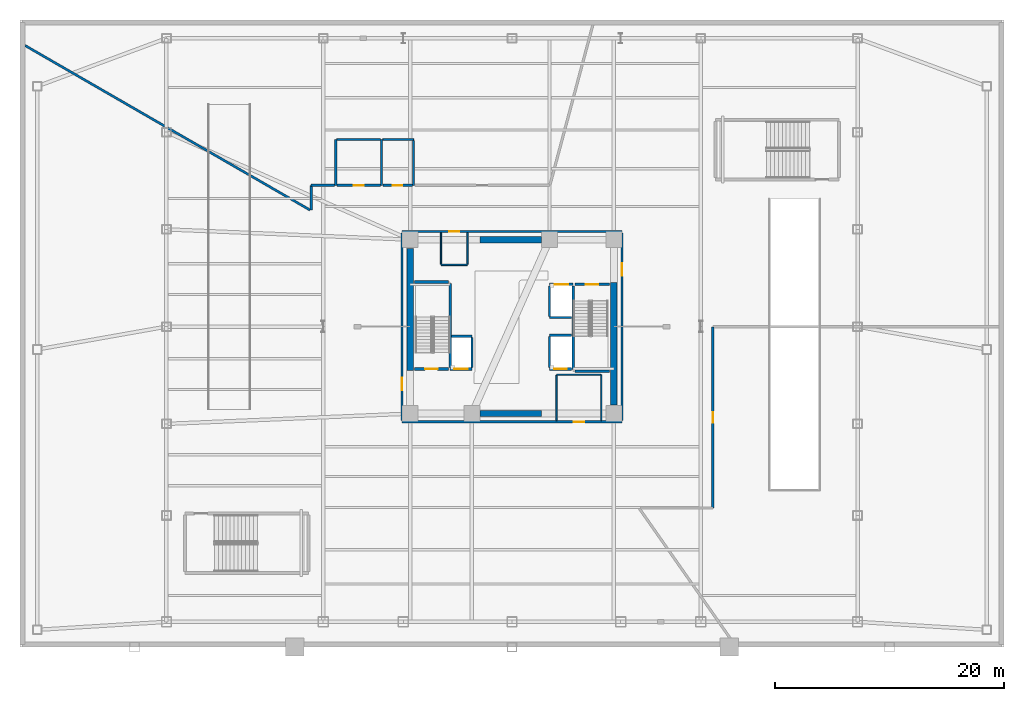
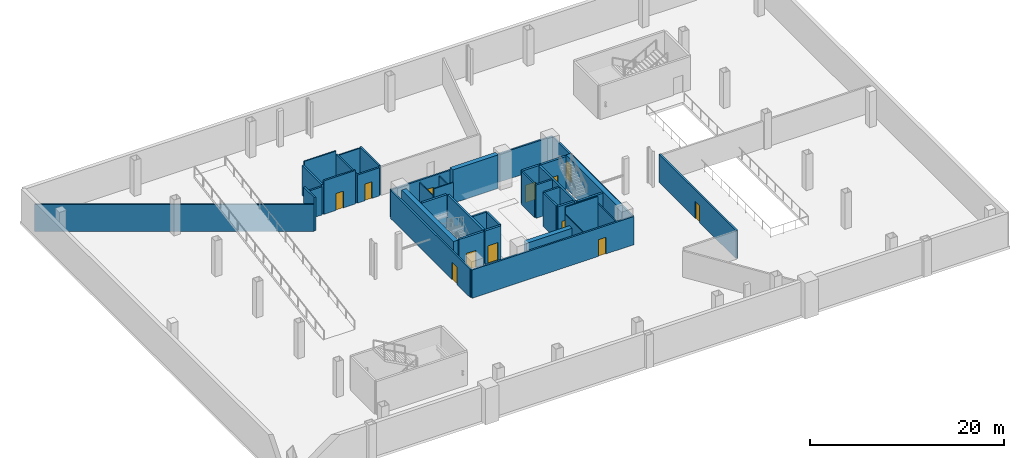
# One storey, part 7 of 14: 40 walls, 12 doors, 12 openings.
"""IFC4 building model written with IfcOpenShell, lengths in metres."""

from ifc_helpers import new_model, si_unit, direction, frame, frame_2d, origin, place, context, subcontext, project, spatial, rectangle, extrude, material, layer, layer_set, type_object, element, fill, save


model = new_model("IFC4")

# Units and contexts
model_context = context("Model", 3, precision=1e-05, world=origin(), true_north=direction((0.0, 1.0)))
body_context = subcontext(model_context, "Body", "Model", "MODEL_VIEW")
ifc_project = project(units=[si_unit("LENGTHUNIT", "METRE"), si_unit("AREAUNIT", "SQUARE_METRE"), si_unit("VOLUMEUNIT", "CUBIC_METRE"), si_unit("PLANEANGLEUNIT", "RADIAN"), si_unit("MASSUNIT", "GRAM", prefix="KILO")], contexts=[model_context])

# Site, building, storey
site_placement = place(None, origin())
site = spatial("IfcSite", under=ifc_project, at=site_placement, CompositionType="ELEMENT")
building_placement = place(site_placement, origin())
building = spatial("IfcBuilding", under=site, at=building_placement, Name="Tharavind Bronze Gate", CompositionType="ELEMENT")
storey_placement = place(building_placement, frame((0.0, 0.0, -4.5)))
storey = spatial("IfcBuildingStorey", under=building, at=storey_placement, Name="B01", CompositionType="ELEMENT", Elevation=-4.5)

# Wall, opening, door
ifc_material_1 = material(Name="Aerated Concrete Block", Category="concrete")
ifc_layer_1 = layer(ifc_material_1, 0.199951171875)
ifc_layer_set_1 = layer_set([ifc_layer_1], Name="Aerated Concrete Block")
wall_type_1 = type_object("IfcWallType", Name="FIRE RATED PARTITION 200", PredefinedType="PARTITIONING", material=ifc_layer_set_1)
wall_1_placement = place(storey_placement, frame((-9.6201171875, -8.320068359375, 0.0), z_axis=(0.0, 0.0, 1.0), x_axis=(1.0, 0.0, 0.0)))
wall_1 = element("IfcWall", 1, at=wall_1_placement, inside=storey, type_object=wall_type_1, Name="B01 south core corridor wall", PredefinedType="PARTITIONING", context=body_context, shape_type="SweptSolid", body=[
    extrude(rectangle(XDim=19.240234375, YDim=0.199951171875, at=frame_2d((9.6201171875, 0.0))), origin(), (0.0, 0.0, 1.0), 3.544921875),
])
opening_1_placement = place(wall_1_placement, frame((15.02001953125, 0.0, 0.0)))
opening_1 = element("IfcOpeningElement", 2, at=opening_1_placement, cuts=wall_1, Name="Opening ID07", PredefinedType="OPENING", context=body_context, shape_type="SweptSolid", body=[
    extrude(rectangle(XDim=0.89990234375, YDim=2.10009765625, at=frame_2d((0.449951171875, 1.050048828125))), frame((0.0, 0.11009765625, 0.0), z_axis=(0.0, -1.0, 0.0), x_axis=(1.0, 0.0, 0.0)), (0.0, 0.0, 1.0), 0.219951171875),
])
ifc_material_2 = material(Name="Galvanised Fire Steel", Category="steel")
door_type_1 = type_object("IfcDoorType", Name="PLANT AND RISER FIRE DOOR 900X2100", OperationType="SINGLE_SWING_LEFT", PredefinedType="DOOR", material=ifc_material_2)
door_1_placement = place(opening_1_placement, origin())
door_1 = element("IfcDoor", 3, at=door_1_placement, inside=storey, type_object=door_type_1, Name="B01 Telecom Metering Room fire door", OperationType="SINGLE_SWING_LEFT", OverallHeight=2.10009765625, OverallWidth=0.89990234375, PredefinedType="DOOR", context=body_context, shape_type="SweptSolid", body=[
    extrude(rectangle(XDim=0.89990234375, YDim=2.10009765625, at=frame_2d((0.449951171875, 1.050048828125))), frame((0.0, 0.02490234375, 0.0), z_axis=(0.0, -1.0, 0.0), x_axis=(1.0, 0.0, 0.0)), (0.0, 0.0, 1.0), 0.050048828125),
])
fill(opening_1, door_1)

wall_2_placement = place(storey_placement, frame((9.6201171875, 8.320068359375, 0.0), z_axis=(0.0, 0.0, 1.0), x_axis=(-1.0, 0.0, 0.0)))
wall_2 = element("IfcWall", 4, at=wall_2_placement, inside=storey, type_object=wall_type_1, Name="B01 north core corridor wall", PredefinedType="PARTITIONING", context=body_context, shape_type="SweptSolid", body=[
    extrude(rectangle(XDim=19.240234375, YDim=0.199951171875, at=frame_2d((9.6201171875, 0.0))), origin(), (0.0, 0.0, 1.0), 3.544921875),
])
opening_2_placement = place(wall_2_placement, frame((14.219970703125, 0.0, 0.0)))
opening_2 = element("IfcOpeningElement", 5, at=opening_2_placement, cuts=wall_2, Name="Opening ID07", PredefinedType="OPENING", context=body_context, shape_type="SweptSolid", body=[
    extrude(rectangle(XDim=0.89990234375, YDim=2.10009765625, at=frame_2d((0.449951171875, 1.050048828125))), frame((0.0, 0.11009765625, 0.0), z_axis=(0.0, -1.0, 0.0), x_axis=(1.0, 0.0, 0.0)), (0.0, 0.0, 1.0), 0.219951171875),
])
door_2_placement = place(opening_2_placement, origin())
door_2 = element("IfcDoor", 6, at=door_2_placement, inside=storey, type_object=door_type_1, Name="B01 Electrical Switch Cupboard fire door", OperationType="SINGLE_SWING_LEFT", OverallHeight=2.10009765625, OverallWidth=0.89990234375, PredefinedType="DOOR", context=body_context, shape_type="SweptSolid", body=[
    extrude(rectangle(XDim=0.89990234375, YDim=2.10009765625, at=frame_2d((0.449951171875, 1.050048828125))), frame((0.0, 0.02490234375, 0.0), z_axis=(0.0, -1.0, 0.0), x_axis=(1.0, 0.0, 0.0)), (0.0, 0.0, 1.0), 0.050048828125),
])
fill(opening_2, door_2)

wall_3_placement = place(storey_placement, frame((-9.6201171875, 8.199951171875, 0.0), z_axis=(0.0, 0.0, 1.0), x_axis=(0.0, -1.0, 0.0)))
wall_3 = element("IfcWall", 7, at=wall_3_placement, inside=storey, type_object=wall_type_1, Name="B01 west core corridor wall", PredefinedType="PARTITIONING", context=body_context, shape_type="SweptSolid", body=[
    extrude(rectangle(XDim=16.39990234375, YDim=0.199951171875, at=frame_2d((8.199951171875, 0.0))), origin(), (0.0, 0.0, 1.0), 3.544921875),
])
opening_3_placement = place(wall_3_placement, frame((12.64990234375, 0.0, 0.0)))
opening_3 = element("IfcOpeningElement", 8, at=opening_3_placement, cuts=wall_3, Name="Opening ID01", PredefinedType="OPENING", context=body_context, shape_type="SweptSolid", body=[
    extrude(rectangle(XDim=1.10009765625, YDim=2.14990234375, at=frame_2d((0.550048828125, 1.074951171875))), frame((0.0, 0.11009765625, 0.0), z_axis=(0.0, -1.0, 0.0), x_axis=(1.0, 0.0, 0.0)), (0.0, 0.0, 1.0), 0.219951171875),
])
ifc_material_3 = material(Name="Fire-Rated Steel", Category="steel")
door_type_2 = type_object("IfcDoorType", Name="STAIR CORE FIRE DOOR 1100X2150", OperationType="SINGLE_SWING_LEFT", PredefinedType="DOOR", material=ifc_material_3)
door_3_placement = place(opening_3_placement, frame((1.10009765625, 0.0, 0.0), z_axis=(0.0, 0.0, 1.0), x_axis=(-1.0, 0.0, 0.0)))
door_3 = element("IfcDoor", 9, at=door_3_placement, inside=storey, type_object=door_type_2, Name="B01 south west stair lobby fire door", OperationType="SINGLE_SWING_LEFT", OverallHeight=2.14990234375, OverallWidth=1.10009765625, PredefinedType="DOOR", context=body_context, shape_type="SweptSolid", body=[
    extrude(rectangle(XDim=1.10009765625, YDim=2.14990234375, at=frame_2d((0.550048828125, 1.074951171875))), frame((0.0, 0.02490234375, 0.0), z_axis=(0.0, -1.0, 0.0), x_axis=(1.0, 0.0, 0.0)), (0.0, 0.0, 1.0), 0.050048828125),
])
fill(opening_3, door_3)

wall_4_placement = place(storey_placement, frame((9.6201171875, -8.199951171875, 0.0), z_axis=(0.0, 0.0, 1.0), x_axis=(0.0, 1.0, 0.0)))
wall_4 = element("IfcWall", 10, at=wall_4_placement, inside=storey, type_object=wall_type_1, Name="B01 east core corridor wall", PredefinedType="PARTITIONING", context=body_context, shape_type="SweptSolid", body=[
    extrude(rectangle(XDim=16.39990234375, YDim=0.199951171875, at=frame_2d((8.199951171875, 0.0))), origin(), (0.0, 0.0, 1.0), 3.544921875),
])
opening_4_placement = place(wall_4_placement, frame((12.64990234375, 0.0, 0.0)))
opening_4 = element("IfcOpeningElement", 11, at=opening_4_placement, cuts=wall_4, Name="Opening ID01", PredefinedType="OPENING", context=body_context, shape_type="SweptSolid", body=[
    extrude(rectangle(XDim=1.10009765625, YDim=2.14990234375, at=frame_2d((0.550048828125, 1.074951171875))), frame((0.0, 0.11009765625, 0.0), z_axis=(0.0, -1.0, 0.0), x_axis=(1.0, 0.0, 0.0)), (0.0, 0.0, 1.0), 0.219951171875),
])
door_4_placement = place(opening_4_placement, frame((1.10009765625, 0.0, 0.0), z_axis=(0.0, 0.0, 1.0), x_axis=(-1.0, 0.0, 0.0)))
door_4 = element("IfcDoor", 12, at=door_4_placement, inside=storey, type_object=door_type_2, Name="B01 north east stair lobby fire door", OperationType="SINGLE_SWING_LEFT", OverallHeight=2.14990234375, OverallWidth=1.10009765625, PredefinedType="DOOR", context=body_context, shape_type="SweptSolid", body=[
    extrude(rectangle(XDim=1.10009765625, YDim=2.14990234375, at=frame_2d((0.550048828125, 1.074951171875))), frame((0.0, 0.02490234375, 0.0), z_axis=(0.0, -1.0, 0.0), x_axis=(1.0, 0.0, 0.0)), (0.0, 0.0, 1.0), 0.050048828125),
])
fill(opening_4, door_4)

# Walls
wall_5_placement = place(storey_placement, frame((-11.39990234375, 12.35009765625, 0.0), z_axis=(0.0, 0.0, 1.0), x_axis=(0.0, 1.0, 0.0)))
element("IfcWall", 13, at=wall_5_placement, inside=storey, type_object=wall_type_1, Name="B01 Accessible Toilet partition", PredefinedType="PARTITIONING", context=body_context, shape_type="SweptSolid", body=[
    extrude(rectangle(XDim=4.0, YDim=0.199951171875, at=frame_2d((2.0, 0.0))), origin(), (0.0, 0.0, 1.0), 3.7451171875),
])
wall_6_placement = place(storey_placement, frame((-8.60009765625, 16.27001953125, 0.0), z_axis=(0.0, 0.0, 1.0), x_axis=(0.0, -1.0, 0.0)))
element("IfcWall", 14, at=wall_6_placement, inside=storey, type_object=wall_type_1, Name="B01 Accessible Toilet partition", PredefinedType="PARTITIONING", context=body_context, shape_type="SweptSolid", body=[
    extrude(rectangle(XDim=3.919921875, YDim=0.199951171875, at=frame_2d((1.9599609375, 0.0))), origin(), (0.0, 0.0, 1.0), 3.7451171875),
])

# Wall, opening, door
wall_7_placement = place(storey_placement, frame((-8.705078125, 12.35009765625, 0.0), z_axis=(0.0, 0.0, 1.0), x_axis=(-1.0, 0.0, 0.0)))
wall_7 = element("IfcWall", 15, at=wall_7_placement, inside=storey, type_object=wall_type_1, Name="B01 Accessible Toilet partition", PredefinedType="PARTITIONING", context=body_context, shape_type="SweptSolid", body=[
    extrude(rectangle(XDim=2.58984375, YDim=0.199951171875, at=frame_2d((1.294921875, 0.0))), origin(), (0.0, 0.0, 1.0), 3.544921875),
])
opening_5_placement = place(wall_7_placement, frame((0.8701171875, 0.0, 0.0)))
opening_5 = element("IfcOpeningElement", 16, at=opening_5_placement, cuts=wall_7, Name="Opening ID06", PredefinedType="OPENING", context=body_context, shape_type="SweptSolid", body=[
    extrude(rectangle(XDim=0.85009765625, YDim=2.10009765625, at=frame_2d((0.425048828125, 1.050048828125))), frame((0.0, 0.11009765625, 0.0), z_axis=(0.0, -1.0, 0.0), x_axis=(1.0, 0.0, 0.0)), (0.0, 0.0, 1.0), 0.219951171875),
])
ifc_material_4 = material(Name="Moisture-Resistant Timber", Category="wood")
door_type_3 = type_object("IfcDoorType", Name="BATHROOM PRIVACY DOOR 850X2100", OperationType="SINGLE_SWING_RIGHT", PredefinedType="DOOR", material=ifc_material_4)
door_5_placement = place(opening_5_placement, origin())
door_5 = element("IfcDoor", 17, at=door_5_placement, inside=storey, type_object=door_type_3, Name="B01 Accessible Toilet door", OperationType="SINGLE_SWING_RIGHT", OverallHeight=2.10009765625, OverallWidth=0.85009765625, PredefinedType="DOOR", context=body_context, shape_type="SweptSolid", body=[
    extrude(rectangle(XDim=0.85009765625, YDim=2.10009765625, at=frame_2d((0.425048828125, 1.050048828125))), frame((0.0, 0.02490234375, 0.0), z_axis=(0.0, -1.0, 0.0), x_axis=(1.0, 0.0, 0.0)), (0.0, 0.0, 1.0), 0.050048828125),
])
fill(opening_5, door_5)

# Wall
wall_8_placement = place(storey_placement, frame((-15.39990234375, 12.35009765625, 0.0), z_axis=(0.0, 0.0, 1.0), x_axis=(0.0, 1.0, 0.0)))
element("IfcWall", 18, at=wall_8_placement, inside=storey, type_object=wall_type_1, Name="B01 Public Washroom partition", PredefinedType="PARTITIONING", context=body_context, shape_type="SweptSolid", body=[
    extrude(rectangle(XDim=4.0, YDim=0.199951171875, at=frame_2d((2.0, 0.0))), origin(), (0.0, 0.0, 1.0), 3.7451171875),
])

# Wall, opening, door
wall_9_placement = place(storey_placement, frame((-11.5048828125, 12.35009765625, 0.0), z_axis=(0.0, 0.0, 1.0), x_axis=(-1.0, 0.0, 0.0)))
wall_9 = element("IfcWall", 19, at=wall_9_placement, inside=storey, type_object=wall_type_1, Name="B01 Public Washroom partition", PredefinedType="PARTITIONING", context=body_context, shape_type="SweptSolid", body=[
    extrude(rectangle(XDim=3.7900390625, YDim=0.199951171875, at=frame_2d((1.89501953125, 0.0))), origin(), (0.0, 0.0, 1.0), 4.199951171875),
])
opening_6_placement = place(wall_9_placement, frame((1.469970703125, 0.0, 0.0)))
opening_6 = element("IfcOpeningElement", 20, at=opening_6_placement, cuts=wall_9, Name="Opening ID06", PredefinedType="OPENING", context=body_context, shape_type="SweptSolid", body=[
    extrude(rectangle(XDim=0.85009765625, YDim=2.10009765625, at=frame_2d((0.425048828125, 1.050048828125))), frame((0.0, 0.11009765625, 0.0), z_axis=(0.0, -1.0, 0.0), x_axis=(1.0, 0.0, 0.0)), (0.0, 0.0, 1.0), 0.219951171875),
])
door_6_placement = place(opening_6_placement, origin())
door_6 = element("IfcDoor", 21, at=door_6_placement, inside=storey, type_object=door_type_3, Name="B01 Public Washroom door", OperationType="SINGLE_SWING_RIGHT", OverallHeight=2.10009765625, OverallWidth=0.85009765625, PredefinedType="DOOR", context=body_context, shape_type="SweptSolid", body=[
    extrude(rectangle(XDim=0.85009765625, YDim=2.10009765625, at=frame_2d((0.425048828125, 1.050048828125))), frame((0.0, 0.02490234375, 0.0), z_axis=(0.0, -1.0, 0.0), x_axis=(1.0, 0.0, 0.0)), (0.0, 0.0, 1.0), 0.050048828125),
])
fill(opening_6, door_6)

# Walls
wall_10_placement = place(storey_placement, frame((-15.5048828125, 12.35009765625, 0.0), z_axis=(0.0, 0.0, 1.0), x_axis=(-1.0, 0.0, 0.0)))
element("IfcWall", 22, at=wall_10_placement, inside=storey, type_object=wall_type_1, Name="B01 Loading Dock & Goods Receiving partition", PredefinedType="PARTITIONING", context=body_context, shape_type="SweptSolid", body=[
    extrude(rectangle(XDim=2.04443359375, YDim=0.199951171875, at=frame_2d((1.022216796875, 0.0))), origin(), (0.0, 0.0, 1.0), 3.544921875),
])
wall_11_placement = place(storey_placement, frame((-17.550048828125, 12.349365234375, 0.0), z_axis=(0.0, 0.0, 1.0), x_axis=(0.0, -1.0, 0.0)))
element("IfcWall", 23, at=wall_11_placement, inside=storey, type_object=wall_type_1, Name="B01 Loading Dock & Goods Receiving partition", PredefinedType="PARTITIONING", context=body_context, shape_type="SweptSolid", body=[
    extrude(rectangle(XDim=2.173583984375, YDim=0.199951171875, at=frame_2d((1.0869140625, 0.0))), origin(), (0.0, 0.0, 1.0), 4.199951171875),
])
wall_12_placement = place(storey_placement, frame((-17.655029296875, 10.193115234375, 0.0), z_axis=(0.0, 0.0, 1.0), x_axis=(-0.866026443251, 0.499998199587, 0.0)))
element("IfcWall", 24, at=wall_12_placement, inside=storey, type_object=wall_type_1, Name="B01 Loading Dock & Goods Receiving partition", PredefinedType="PARTITIONING", context=body_context, shape_type="SweptSolid", body=[
    extrude(rectangle(XDim=28.740234375, YDim=0.199951171875, at=frame_2d((14.3701171875, 0.0))), origin(), (0.0, 0.0, 1.0), 3.39501953125),
])

# Wall, opening, door
wall_13_placement = place(storey_placement, frame((17.550048828125, -15.849365234375, 0.0), z_axis=(0.0, 0.0, 1.0), x_axis=(0.0, 1.0, 0.0)))
wall_13 = element("IfcWall", 25, at=wall_13_placement, inside=storey, type_object=wall_type_1, Name="B01 Refuse & Recycling Storage partition", PredefinedType="PARTITIONING", context=body_context, shape_type="SweptSolid", body=[
    extrude(rectangle(XDim=15.824462890625, YDim=0.199951171875, at=frame_2d((7.912109375, 0.0))), origin(), (0.0, 0.0, 1.0), 3.544921875),
])
opening_7_placement = place(wall_13_placement, frame((7.4619140625, 0.0, 0.0)))
opening_7 = element("IfcOpeningElement", 26, at=opening_7_placement, cuts=wall_13, Name="Opening ID07", PredefinedType="OPENING", context=body_context, shape_type="SweptSolid", body=[
    extrude(rectangle(XDim=0.89990234375, YDim=2.10009765625, at=frame_2d((0.449951171875, 1.050048828125))), frame((0.0, 0.11009765625, 0.0), z_axis=(0.0, -1.0, 0.0), x_axis=(1.0, 0.0, 0.0)), (0.0, 0.0, 1.0), 0.219951171875),
])
door_7_placement = place(opening_7_placement, origin())
door_7 = element("IfcDoor", 27, at=door_7_placement, inside=storey, type_object=door_type_1, Name="B01 Refuse & Recycling Storage door", OperationType="SINGLE_SWING_LEFT", OverallHeight=2.10009765625, OverallWidth=0.89990234375, PredefinedType="DOOR", context=body_context, shape_type="SweptSolid", body=[
    extrude(rectangle(XDim=0.89990234375, YDim=2.10009765625, at=frame_2d((0.449951171875, 1.050048828125))), frame((0.0, 0.02490234375, 0.0), z_axis=(0.0, -1.0, 0.0), x_axis=(1.0, 0.0, 0.0)), (0.0, 0.0, 1.0), 0.050048828125),
])
fill(opening_7, door_7)

# Walls
ifc_material_5 = material(Name="Metal Stud Gypsum Partition", Category="gypsum")
ifc_layer_2 = layer(ifc_material_5, 0.1201171875)
ifc_layer_set_2 = layer_set([ifc_layer_2], Name="Metal Stud Gypsum Partition")
wall_type_2 = type_object("IfcWallType", Name="INTERIOR PARTITION WALL 120", PredefinedType="PARTITIONING", material=ifc_layer_set_2)
wall_14_placement = place(storey_placement, frame((-6.199951171875, 5.39990234375, 0.0), z_axis=(0.0, 0.0, 1.0), x_axis=(1.0, 0.0, 0.0)))
element("IfcWall", 28, at=wall_14_placement, inside=storey, type_object=wall_type_2, Name="B01 Electrical Switch Cupboard partition 1", PredefinedType="PARTITIONING", context=body_context, shape_type="SweptSolid", body=[
    extrude(rectangle(XDim=2.300048828125, YDim=0.1201171875, at=frame_2d((1.14990234375, 0.0))), origin(), (0.0, 0.0, 1.0), 4.199951171875),
])
for number, where, z_axis, x_axis, name in (
    (29, (-3.89990234375, 5.465087890625, 0.0), (0.0, 0.0, 1.0), (0.0, 1.0, 0.0), "B01 Electrical Switch Cupboard partition 2"),
    (30, (-6.199951171875, 8.215087890625, 0.0), (0.0, 0.0, 1.0), (0.0, -1.0, 0.0), "B01 Electrical Switch Cupboard partition 4"),
):
    element("IfcWall", number, at=place(storey_placement, frame(where, z_axis=z_axis, x_axis=x_axis)), inside=storey, type_object=wall_type_2, Name=name, PredefinedType="PARTITIONING", context=body_context, shape_type="SweptSolid", body=[
        extrude(rectangle(XDim=2.75, YDim=0.1201171875, at=frame_2d((1.375, 0.0))), origin(), (0.0, 0.0, 1.0), 3.294921875),
    ])
wall_15_placement = place(storey_placement, frame((7.800048828125, -8.215087890625, 0.0), z_axis=(0.0, 0.0, 1.0), x_axis=(0.0, 1.0, 0.0)))
element("IfcWall", 31, at=wall_15_placement, inside=storey, type_object=wall_type_2, Name="B01 Telecom Metering Room partition 2", PredefinedType="PARTITIONING", context=body_context, shape_type="SweptSolid", body=[
    extrude(rectangle(XDim=4.01513671875, YDim=0.1201171875, at=frame_2d((2.007568359375, 0.0))), origin(), (0.0, 0.0, 1.0), 3.294921875),
])
wall_16_placement = place(storey_placement, frame((7.735107421875, -4.199951171875, 0.0), z_axis=(0.0, 0.0, 1.0), x_axis=(-1.0, 0.0, 0.0)))
element("IfcWall", 32, at=wall_16_placement, inside=storey, type_object=wall_type_2, Name="B01 Telecom Metering Room partition 3", PredefinedType="PARTITIONING", context=body_context, shape_type="SweptSolid", body=[
    extrude(rectangle(XDim=3.835205078125, YDim=0.1201171875, at=frame_2d((1.91748046875, 0.0))), origin(), (0.0, 0.0, 1.0), 4.199951171875),
])
wall_17_placement = place(storey_placement, frame((3.89990234375, -4.264892578125, 0.0), z_axis=(0.0, 0.0, 1.0), x_axis=(0.0, -1.0, 0.0)))
element("IfcWall", 33, at=wall_17_placement, inside=storey, type_object=wall_type_2, Name="B01 Telecom Metering Room partition 4", PredefinedType="PARTITIONING", context=body_context, shape_type="SweptSolid", body=[
    extrude(rectangle(XDim=3.9501953125, YDim=0.1201171875, at=frame_2d((1.97509765625, 0.0))), origin(), (0.0, 0.0, 1.0), 3.294921875),
])
ifc_material_6 = material(Name="Twin Stud Acoustic Gypsum", Category="gypsum")
ifc_layer_3 = layer(ifc_material_6, 0.14990234375)
ifc_layer_set_3 = layer_set([ifc_layer_3], Name="Twin Stud Acoustic Gypsum")
wall_type_3 = type_object("IfcWallType", Name="INTERIOR PARTITION WALL 150", PredefinedType="PARTITIONING", material=ifc_layer_set_3)
wall_18_placement = place(storey_placement, frame((-11.294921875, 16.35009765625, 0.0), z_axis=(0.0, 0.0, 1.0), x_axis=(1.0, 0.0, 0.0)))
element("IfcWall", 34, at=wall_18_placement, inside=storey, type_object=wall_type_3, Name="B01 Accessible Toilet partition", PredefinedType="PARTITIONING", context=body_context, shape_type="SweptSolid", body=[
    extrude(rectangle(XDim=2.69482421875, YDim=0.14990234375, at=frame_2d((1.347412109375, 0.0))), origin(), (0.0, 0.0, 1.0), 3.544921875),
])
wall_19_placement = place(storey_placement, frame((-15.294921875, 16.35009765625, 0.0), z_axis=(0.0, 0.0, 1.0), x_axis=(1.0, 0.0, 0.0)))
element("IfcWall", 35, at=wall_19_placement, inside=storey, type_object=wall_type_3, Name="B01 Public Washroom partition", PredefinedType="PARTITIONING", context=body_context, shape_type="SweptSolid", body=[
    extrude(rectangle(XDim=3.7900390625, YDim=0.14990234375, at=frame_2d((1.89501953125, 0.0))), origin(), (0.0, 0.0, 1.0), 4.199951171875),
])
ifc_material_7 = material(Name="Concrete C50/60", Category="concrete")
ifc_layer_4 = layer(ifc_material_7, 0.25)
ifc_layer_set_4 = layer_set([ifc_layer_4], Name="Concrete C50/60")
wall_type_4 = type_object("IfcWallType", Name="RC CORE SHEAR WALL 250", PredefinedType="SHEAR", material=ifc_layer_set_4)
wall_20_placement = place(storey_placement, frame((-5.39990234375, -3.550048828125, 0.0), z_axis=(0.0, 0.0, 1.0), x_axis=(0.0, 1.0, 0.0)))
element("IfcWall", 36, at=wall_20_placement, inside=storey, type_object=wall_type_4, Name="B01 ST1 shaft east wall", PredefinedType="SHEAR", context=body_context, shape_type="SweptSolid", body=[
    extrude(rectangle(XDim=7.300048828125, YDim=0.25, at=frame_2d((3.64990234375, 0.0))), origin(), (0.0, 0.0, 1.0), 4.199951171875),
])

# Wall, opening, door
wall_21_placement = place(storey_placement, frame((-8.5, -3.699951171875, 0.0), z_axis=(0.0, 0.0, 1.0), x_axis=(1.0, 0.0, 0.0)))
wall_21 = element("IfcWall", 37, at=wall_21_placement, inside=storey, type_object=wall_type_4, Name="B01 ST1 shaft south wall", PredefinedType="SHEAR", context=body_context, shape_type="SweptSolid", body=[
    extrude(rectangle(XDim=2.949951171875, YDim=0.25, at=frame_2d((1.47509765625, 0.0))), origin(), (0.0, 0.0, 1.0), 4.199951171875),
])
opening_8_placement = place(wall_21_placement, frame((0.89990234375, 0.0, 0.0)))
opening_8 = element("IfcOpeningElement", 38, at=opening_8_placement, cuts=wall_21, Name="Opening ID01", PredefinedType="OPENING", context=body_context, shape_type="SweptSolid", body=[
    extrude(rectangle(XDim=1.10009765625, YDim=2.14990234375, at=frame_2d((0.550048828125, 1.074951171875))), frame((0.0, 0.135, 0.0), z_axis=(0.0, -1.0, 0.0), x_axis=(1.0, 0.0, 0.0)), (0.0, 0.0, 1.0), 0.27),
])
door_8_placement = place(opening_8_placement, origin())
door_8 = element("IfcDoor", 39, at=door_8_placement, inside=storey, type_object=door_type_2, Name="B01 exit stair ST1 fire door", OperationType="SINGLE_SWING_LEFT", OverallHeight=2.14990234375, OverallWidth=1.10009765625, PredefinedType="DOOR", context=body_context, shape_type="SweptSolid", body=[
    extrude(rectangle(XDim=1.10009765625, YDim=2.14990234375, at=frame_2d((0.550048828125, 1.074951171875))), frame((0.0, 0.02490234375, 0.0), z_axis=(0.0, -1.0, 0.0), x_axis=(1.0, 0.0, 0.0)), (0.0, 0.0, 1.0), 0.050048828125),
])
fill(opening_8, door_8)

# Walls
wall_22_placement = place(storey_placement, frame((-8.5, 3.89990234375, 0.0), z_axis=(0.0, 0.0, 1.0), x_axis=(1.0, 0.0, 0.0)))
element("IfcWall", 40, at=wall_22_placement, inside=storey, type_object=wall_type_4, Name="B01 ST1 shaft north wall", PredefinedType="SHEAR", context=body_context, shape_type="SweptSolid", body=[
    extrude(rectangle(XDim=2.949951171875, YDim=0.25, at=frame_2d((1.47509765625, 0.0))), origin(), (0.0, 0.0, 1.0), 4.199951171875),
])
wall_23_placement = place(storey_placement, frame((5.35009765625, -3.75, 0.0), z_axis=(0.0, 0.0, 1.0), x_axis=(0.0, 1.0, 0.0)))
element("IfcWall", 41, at=wall_23_placement, inside=storey, type_object=wall_type_4, Name="B01 ST2 shaft west wall", PredefinedType="SHEAR", context=body_context, shape_type="SweptSolid", body=[
    extrude(rectangle(XDim=7.300048828125, YDim=0.25, at=frame_2d((3.64990234375, 0.0))), origin(), (0.0, 0.0, 1.0), 4.199951171875),
])

# Wall, opening, door
wall_24_placement = place(storey_placement, frame((5.5, 3.699951171875, 0.0), z_axis=(0.0, 0.0, 1.0), x_axis=(1.0, 0.0, 0.0)))
wall_24 = element("IfcWall", 42, at=wall_24_placement, inside=storey, type_object=wall_type_4, Name="B01 ST2 shaft north wall", PredefinedType="SHEAR", context=body_context, shape_type="SweptSolid", body=[
    extrude(rectangle(XDim=3.0, YDim=0.25, at=frame_2d((1.5, 0.0))), origin(), (0.0, 0.0, 1.0), 4.199951171875),
])
opening_9_placement = place(wall_24_placement, frame((0.949951171875, 0.0, 0.0)))
opening_9 = element("IfcOpeningElement", 43, at=opening_9_placement, cuts=wall_24, Name="Opening ID01", PredefinedType="OPENING", context=body_context, shape_type="SweptSolid", body=[
    extrude(rectangle(XDim=1.10009765625, YDim=2.14990234375, at=frame_2d((0.550048828125, 1.074951171875))), frame((0.0, 0.135, 0.0), z_axis=(0.0, -1.0, 0.0), x_axis=(1.0, 0.0, 0.0)), (0.0, 0.0, 1.0), 0.27),
])
door_9_placement = place(opening_9_placement, frame((1.10009765625, 0.0, 0.0), z_axis=(0.0, 0.0, 1.0), x_axis=(-1.0, 0.0, 0.0)))
door_9 = element("IfcDoor", 44, at=door_9_placement, inside=storey, type_object=door_type_2, Name="B01 exit stair ST2 fire door", OperationType="SINGLE_SWING_LEFT", OverallHeight=2.14990234375, OverallWidth=1.10009765625, PredefinedType="DOOR", context=body_context, shape_type="SweptSolid", body=[
    extrude(rectangle(XDim=1.10009765625, YDim=2.14990234375, at=frame_2d((0.550048828125, 1.074951171875))), frame((0.0, 0.02490234375, 0.0), z_axis=(0.0, -1.0, 0.0), x_axis=(1.0, 0.0, 0.0)), (0.0, 0.0, 1.0), 0.050048828125),
])
fill(opening_9, door_9)

# Wall
wall_25_placement = place(storey_placement, frame((5.5, -3.89990234375, 0.0), z_axis=(0.0, 0.0, 1.0), x_axis=(1.0, 0.0, 0.0)))
element("IfcWall", 45, at=wall_25_placement, inside=storey, type_object=wall_type_4, Name="B01 ST2 shaft south wall", PredefinedType="SHEAR", context=body_context, shape_type="SweptSolid", body=[
    extrude(rectangle(XDim=3.0, YDim=0.25, at=frame_2d((1.5, 0.0))), origin(), (0.0, 0.0, 1.0), 4.199951171875),
])

# Wall, opening, door
wall_26_placement = place(storey_placement, frame((-5.39990234375, -3.699951171875, 0.0), z_axis=(0.0, 0.0, 1.0), x_axis=(1.0, 0.0, 0.0)))
wall_26 = element("IfcWall", 46, at=wall_26_placement, inside=storey, type_object=wall_type_4, Name="B01 lift FFL1 shaft front wall", PredefinedType="SHEAR", context=body_context, shape_type="SweptSolid", body=[
    extrude(rectangle(XDim=1.89990234375, YDim=0.25, at=frame_2d((0.949951171875, 0.0))), origin(), (0.0, 0.0, 1.0), 4.199951171875),
])
opening_10_placement = place(wall_26_placement, frame((0.35009765625, 0.0, 0.0)))
opening_10 = element("IfcOpeningElement", 47, at=opening_10_placement, cuts=wall_26, Name="Opening LD02", PredefinedType="OPENING", context=body_context, shape_type="SweptSolid", body=[
    extrude(rectangle(XDim=1.199951171875, YDim=2.199951171875, at=frame_2d((0.60009765625, 1.10009765625))), frame((0.0, 0.135, 0.0), z_axis=(0.0, -1.0, 0.0), x_axis=(1.0, 0.0, 0.0)), (0.0, 0.0, 1.0), 0.27),
])
ifc_material_8 = material(Name="Brushed Stainless Steel", Category="steel")
door_type_4 = type_object("IfcDoorType", Name="FIREFIGHTING LIFT LANDING DOOR 1200X2200", OperationType="SLIDING_TO_RIGHT", PredefinedType="DOOR", material=ifc_material_8)
door_10_placement = place(opening_10_placement, origin())
door_10 = element("IfcDoor", 48, at=door_10_placement, inside=storey, type_object=door_type_4, Name="B01 lift FFL1 sliding landing door", OperationType="SLIDING_TO_RIGHT", OverallHeight=2.199951171875, OverallWidth=1.199951171875, PredefinedType="DOOR", context=body_context, shape_type="SweptSolid", body=[
    extrude(rectangle(XDim=1.199951171875, YDim=2.199951171875, at=frame_2d((0.60009765625, 1.10009765625))), frame((0.0, 0.02490234375, 0.0), z_axis=(0.0, -1.0, 0.0), x_axis=(1.0, 0.0, 0.0)), (0.0, 0.0, 1.0), 0.050048828125),
])
fill(opening_10, door_10)

wall_27_placement = place(storey_placement, frame((3.280029296875, 3.699951171875, 0.0), z_axis=(0.0, 0.0, 1.0), x_axis=(1.0, 0.0, 0.0)))
wall_27 = element("IfcWall", 49, at=wall_27_placement, inside=storey, type_object=wall_type_4, Name="B01 lift FFL2 shaft front wall", PredefinedType="SHEAR", context=body_context, shape_type="SweptSolid", body=[
    extrude(rectangle(XDim=2.070068359375, YDim=0.25, at=frame_2d((1.03515625, 0.0))), origin(), (0.0, 0.0, 1.0), 4.199951171875),
])
opening_11_placement = place(wall_27_placement, frame((0.43505859375, 0.0, 0.0)))
opening_11 = element("IfcOpeningElement", 50, at=opening_11_placement, cuts=wall_27, Name="Opening LD02", PredefinedType="OPENING", context=body_context, shape_type="SweptSolid", body=[
    extrude(rectangle(XDim=1.199951171875, YDim=2.199951171875, at=frame_2d((0.60009765625, 1.10009765625))), frame((0.0, 0.135, 0.0), z_axis=(0.0, -1.0, 0.0), x_axis=(1.0, 0.0, 0.0)), (0.0, 0.0, 1.0), 0.27),
])
door_11_placement = place(opening_11_placement, origin())
door_11 = element("IfcDoor", 51, at=door_11_placement, inside=storey, type_object=door_type_4, Name="B01 lift FFL2 sliding landing door", OperationType="SLIDING_TO_RIGHT", OverallHeight=2.199951171875, OverallWidth=1.199951171875, PredefinedType="DOOR", context=body_context, shape_type="SweptSolid", body=[
    extrude(rectangle(XDim=1.199951171875, YDim=2.199951171875, at=frame_2d((0.60009765625, 1.10009765625))), frame((0.0, 0.02490234375, 0.0), z_axis=(0.0, -1.0, 0.0), x_axis=(1.0, 0.0, 0.0)), (0.0, 0.0, 1.0), 0.050048828125),
])
fill(opening_11, door_11)

wall_28_placement = place(storey_placement, frame((3.280029296875, -3.699951171875, 0.0), z_axis=(0.0, 0.0, 1.0), x_axis=(1.0, 0.0, 0.0)))
wall_28 = element("IfcWall", 52, at=wall_28_placement, inside=storey, type_object=wall_type_4, Name="B01 lift SVL1 shaft front wall", PredefinedType="SHEAR", context=body_context, shape_type="SweptSolid", body=[
    extrude(rectangle(XDim=1.93994140625, YDim=0.25, at=frame_2d((0.969970703125, 0.0))), origin(), (0.0, 0.0, 1.0), 4.199951171875),
])
opening_12_placement = place(wall_28_placement, frame((0.419921875, 0.0, 0.0)))
opening_12 = element("IfcOpeningElement", 53, at=opening_12_placement, cuts=wall_28, Name="Opening LD01", PredefinedType="OPENING", context=body_context, shape_type="SweptSolid", body=[
    extrude(rectangle(XDim=1.10009765625, YDim=2.199951171875, at=frame_2d((0.550048828125, 1.10009765625))), frame((0.0, 0.135, 0.0), z_axis=(0.0, -1.0, 0.0), x_axis=(1.0, 0.0, 0.0)), (0.0, 0.0, 1.0), 0.27),
])
ifc_material_9 = material(Name="Brushed Bronze Stainless Steel", Category="steel")
door_type_5 = type_object("IfcDoorType", Name="LIFT LANDING SLIDING DOOR 1100X2200", OperationType="SLIDING_TO_LEFT", PredefinedType="DOOR", material=ifc_material_9)
door_12_placement = place(opening_12_placement, origin())
door_12 = element("IfcDoor", 54, at=door_12_placement, inside=storey, type_object=door_type_5, Name="B01 lift SVL1 sliding landing door", OperationType="SLIDING_TO_LEFT", OverallHeight=2.199951171875, OverallWidth=1.10009765625, PredefinedType="DOOR", context=body_context, shape_type="SweptSolid", body=[
    extrude(rectangle(XDim=1.10009765625, YDim=2.199951171875, at=frame_2d((0.550048828125, 1.10009765625))), frame((0.0, 0.02490234375, 0.0), z_axis=(0.0, -1.0, 0.0), x_axis=(1.0, 0.0, 0.0)), (0.0, 0.0, 1.0), 0.050048828125),
])
fill(opening_12, door_12)

# Walls
ifc_material_10 = material(Name="Concrete C60/75", Category="concrete")
ifc_layer_5 = layer(ifc_material_10, 0.550048828125)
ifc_layer_set_5 = layer_set([ifc_layer_5], Name="Concrete C60/75")
wall_type_5 = type_object("IfcWallType", Name="RC CORE SHEAR WALL 550", PredefinedType="SHEAR", material=ifc_layer_set_5)
for number, where, z_axis, x_axis, name in (
    (55, (-2.800048828125, -7.60009765625, 0.0), (0.0, 0.0, 1.0), (1.0, 0.0, 0.0), "B01 south core shear wall"),
    (56, (-2.800048828125, 7.60009765625, 0.0), (0.0, 0.0, 1.0), (1.0, 0.0, 0.0), "B01 north core shear wall"),
):
    element("IfcWall", number, at=place(storey_placement, frame(where, z_axis=z_axis, x_axis=x_axis)), inside=storey, type_object=wall_type_5, Name=name, PredefinedType="SHEAR", context=body_context, shape_type="SweptSolid", body=[
        extrude(rectangle(XDim=5.380126953125, YDim=0.550048828125, at=frame_2d((2.68994140625, 0.0))), origin(), (0.0, 0.0, 1.0), 4.199951171875),
    ])
for number, where, z_axis, x_axis, name in (
    (57, (-8.89990234375, -3.85009765625, 0.0), (0.0, 0.0, 1.0), (0.0, 1.0, 0.0), "B01 west core shear wall"),
    (58, (8.89990234375, -6.85009765625, 0.0), (0.0, 0.0, 1.0), (0.0, 1.0, 0.0), "B01 east core shear wall"),
):
    element("IfcWall", number, at=place(storey_placement, frame(where, z_axis=z_axis, x_axis=x_axis)), inside=storey, type_object=wall_type_5, Name=name, PredefinedType="SHEAR", context=body_context, shape_type="SweptSolid", body=[
        extrude(rectangle(XDim=10.7001953125, YDim=0.550048828125, at=frame_2d((5.35009765625, 0.0))), origin(), (0.0, 0.0, 1.0), 4.199951171875),
    ])
ifc_material_11 = material(Name="Concrete C40/50", Category="concrete")
ifc_layer_6 = layer(ifc_material_11, 0.199951171875)
ifc_layer_set_6 = layer_set([ifc_layer_6], Name="Concrete C40/50")
wall_type_6 = type_object("IfcWallType", Name="SHAFT ENCLOSURE WALL 200", PredefinedType="PARTITIONING", material=ifc_layer_set_6)
wall_29_placement = place(storey_placement, frame((-5.27001953125, -0.85009765625, 0.0), z_axis=(0.0, 0.0, 1.0), x_axis=(1.0, 0.0, 0.0)))
element("IfcWall", 59, at=wall_29_placement, inside=storey, type_object=wall_type_6, Name="B01 lift FFL1 shaft N enclosure wall", PredefinedType="PARTITIONING", context=body_context, shape_type="SweptSolid", body=[
    extrude(rectangle(XDim=1.77001953125, YDim=0.199951171875, at=frame_2d((0.885009765625, 0.0))), origin(), (0.0, 0.0, 1.0), 4.199951171875),
])
wall_30_placement = place(storey_placement, frame((-3.5, -3.570068359375, 0.0), z_axis=(0.0, 0.0, 1.0), x_axis=(0.0, 1.0, 0.0)))
element("IfcWall", 60, at=wall_30_placement, inside=storey, type_object=wall_type_6, Name="B01 lift FFL1 shaft E enclosure wall", PredefinedType="PARTITIONING", context=body_context, shape_type="SweptSolid", body=[
    extrude(rectangle(XDim=2.614990234375, YDim=0.199951171875, at=frame_2d((1.3076171875, 0.0))), origin(), (0.0, 0.0, 1.0), 4.199951171875),
])
wall_31_placement = place(storey_placement, frame((3.280029296875, 0.800048828125, 0.0), z_axis=(0.0, 0.0, 1.0), x_axis=(1.0, 0.0, 0.0)))
element("IfcWall", 61, at=wall_31_placement, inside=storey, type_object=wall_type_6, Name="B01 lift FFL2 shaft S enclosure wall", PredefinedType="PARTITIONING", context=body_context, shape_type="SweptSolid", body=[
    extrude(rectangle(XDim=1.93994140625, YDim=0.199951171875, at=frame_2d((0.969970703125, 0.0))), origin(), (0.0, 0.0, 1.0), 4.199951171875),
])
wall_32_placement = place(storey_placement, frame((3.280029296875, 0.905029296875, 0.0), z_axis=(0.0, 0.0, 1.0), x_axis=(0.0, 1.0, 0.0)))
element("IfcWall", 62, at=wall_32_placement, inside=storey, type_object=wall_type_6, Name="B01 lift FFL2 shaft W enclosure wall", PredefinedType="PARTITIONING", context=body_context, shape_type="SweptSolid", body=[
    extrude(rectangle(XDim=2.6650390625, YDim=0.199951171875, at=frame_2d((1.33251953125, 0.0))), origin(), (0.0, 0.0, 1.0), 4.199951171875),
])
wall_33_placement = place(storey_placement, frame((3.280029296875, -0.75, 0.0), z_axis=(0.0, 0.0, 1.0), x_axis=(1.0, 0.0, 0.0)))
element("IfcWall", 63, at=wall_33_placement, inside=storey, type_object=wall_type_6, Name="B01 lift SVL1 shaft N enclosure wall", PredefinedType="PARTITIONING", context=body_context, shape_type="SweptSolid", body=[
    extrude(rectangle(XDim=1.93994140625, YDim=0.199951171875, at=frame_2d((0.969970703125, 0.0))), origin(), (0.0, 0.0, 1.0), 4.199951171875),
])
wall_34_placement = place(storey_placement, frame((3.280029296875, -3.570068359375, 0.0), z_axis=(0.0, 0.0, 1.0), x_axis=(0.0, 1.0, 0.0)))
element("IfcWall", 64, at=wall_34_placement, inside=storey, type_object=wall_type_6, Name="B01 lift SVL1 shaft W enclosure wall", PredefinedType="PARTITIONING", context=body_context, shape_type="SweptSolid", body=[
    extrude(rectangle(XDim=2.715087890625, YDim=0.199951171875, at=frame_2d((1.357421875, 0.0))), origin(), (0.0, 0.0, 1.0), 4.199951171875),
])

save(model, "model.ifc")
